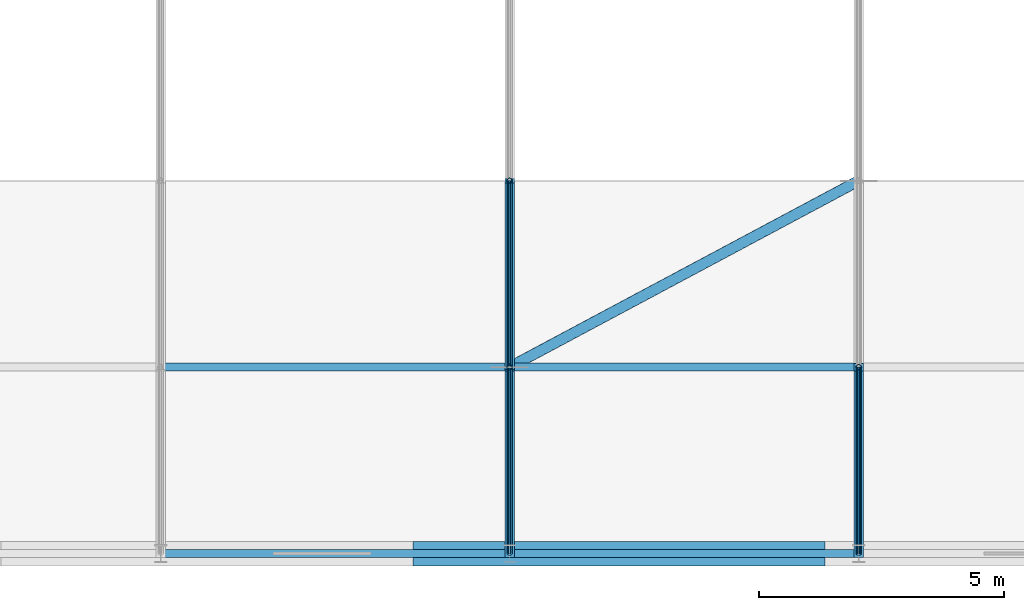
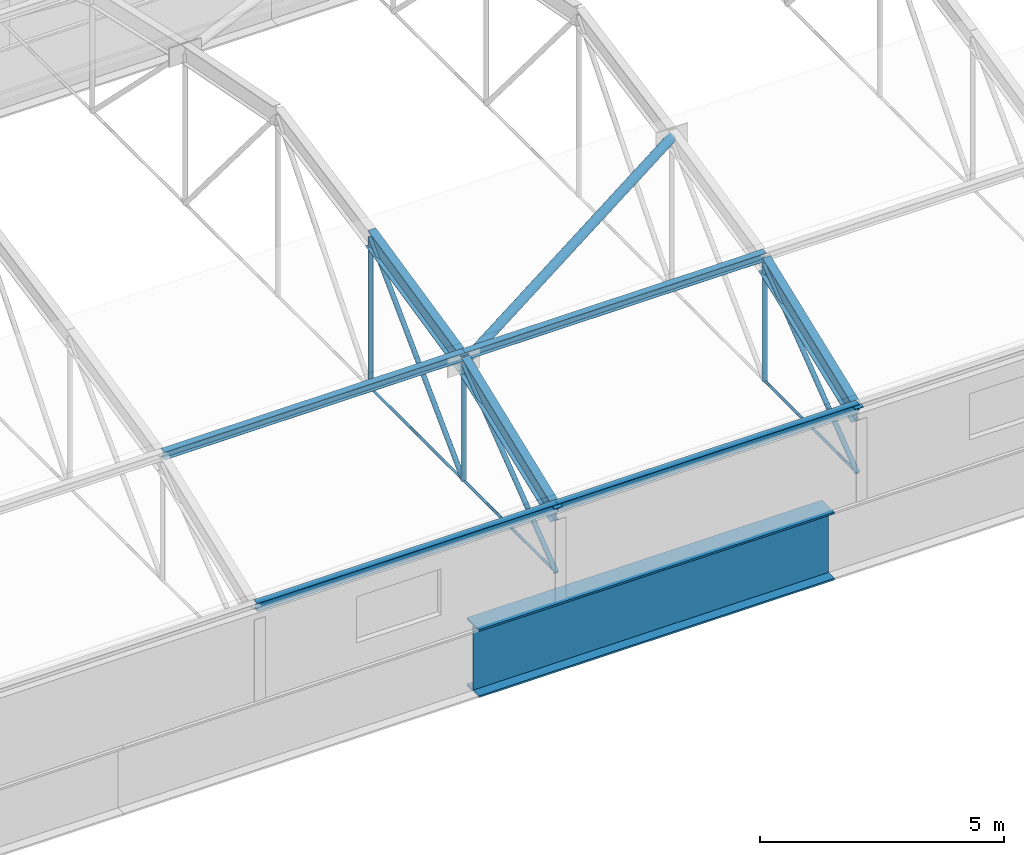
# One storey, part 14 of 53: 14 members, 4 beams.
"""IFC4 building model written with IfcOpenShell, lengths in metres."""

from ifc_helpers import new_model, si_unit, direction, frame, origin_with_axes, origin_2d_with_axis, place, context, subcontext, project, spatial, circle, hollow_circle, i_section, extrude, material, material_profile, profile_set, type_object, element, save


model = new_model("IFC4")

# Units and contexts
model_context = context("Model", 3, precision=1e-05, world=origin_with_axes(), true_north=direction((0.0, 1.0)))
body_context = subcontext(model_context, "Body", "Model", "MODEL_VIEW")
ifc_project = project(units=[si_unit("LENGTHUNIT", "METRE"), si_unit("AREAUNIT", "SQUARE_METRE"), si_unit("VOLUMEUNIT", "CUBIC_METRE"), si_unit("PLANEANGLEUNIT", "RADIAN"), si_unit("MASSUNIT", "GRAM", prefix="KILO"), si_unit("THERMODYNAMICTEMPERATUREUNIT", "KELVIN")], contexts=[model_context])

# Site, building, storey
site_placement = place(None, origin_with_axes())
site = spatial("IfcSite", under=ifc_project, at=site_placement, CompositionType="ELEMENT")
building_placement = place(site_placement, origin_with_axes())
building = spatial("IfcBuilding", under=site, at=building_placement, Name="Montbau Bow Law Courts", CompositionType="ELEMENT")
storey_placement = place(building_placement, frame((0.0, 0.0, 39.0), z_axis=(0.0, 0.0, 1.0), x_axis=(1.0, 0.0, 0.0)))
storey = spatial("IfcBuildingStorey", under=building, at=storey_placement, Name="L08", CompositionType="ELEMENT", Elevation=39.0)

# Beams
ifc_material = material(Name="Steel CSA G40.21 Grade 350WT (350 MPa)", Category="steel")
ifc_material_profile_1 = material_profile(ifc_material, i_section(OverallWidth=0.191, OverallDepth=0.46, WebThickness=0.0099, FlangeThickness=0.016, at=origin_2d_with_axis()), Name="W460X82", Category="Main", Priority=0)
ifc_profile_set_1 = profile_set([ifc_material_profile_1], Name="Steel CSA G40.21 Grade 350WT (350 MPa)")
beam_type_1 = type_object("IfcBeamType", Name="B-ARC-02", PredefinedType="USERDEFINED", material=ifc_profile_set_1)
beam_1_placement = place(None, frame((90.771, 39.0, 40.7), z_axis=(0.0, 0.931986259, 0.362493603), x_axis=(-1.0, 0.0, 0.0)))
element("IfcBeam", 1, at=beam_1_placement, inside=storey, type_object=beam_type_1, Name="Barrel vault roof truss arch rib V3-127", ObjectType="ARCH_RIB", PredefinedType="USERDEFINED", context=body_context, shape_type="SweptSolid", body=[
    extrude(i_section(OverallWidth=0.191, OverallDepth=0.46, WebThickness=0.0099, FlangeThickness=0.016, at=origin_2d_with_axis()), origin_with_axes(), (0.0, 0.0, 1.0), 4.077313),
])
beam_2_placement = place(None, frame((90.771, 42.8, 42.178), z_axis=(0.0, 0.97610237, 0.217311212), x_axis=(-1.0, 0.0, 0.0)))
element("IfcBeam", 2, at=beam_2_placement, inside=storey, type_object=beam_type_1, Name="Barrel vault roof truss arch rib V3-128", ObjectType="ARCH_RIB", PredefinedType="USERDEFINED", context=body_context, shape_type="SweptSolid", body=[
    extrude(i_section(OverallWidth=0.191, OverallDepth=0.46, WebThickness=0.0099, FlangeThickness=0.016, at=origin_2d_with_axis()), origin_with_axes(), (0.0, 0.0, 1.0), 3.893034),
])
beam_3_placement = place(None, frame((97.886, 39.0, 40.7), z_axis=(0.0, 0.931986259, 0.362493603), x_axis=(-1.0, 0.0, 0.0)))
element("IfcBeam", 3, at=beam_3_placement, inside=storey, type_object=beam_type_1, Name="Barrel vault roof truss arch rib V3-133", ObjectType="ARCH_RIB", PredefinedType="USERDEFINED", context=body_context, shape_type="SweptSolid", body=[
    extrude(i_section(OverallWidth=0.191, OverallDepth=0.46, WebThickness=0.0099, FlangeThickness=0.016, at=origin_2d_with_axis()), origin_with_axes(), (0.0, 0.0, 1.0), 4.077313),
])
ifc_material_profile_2 = material_profile(ifc_material, i_section(OverallWidth=0.5, OverallDepth=1.7, WebThickness=0.02, FlangeThickness=0.045, at=origin_2d_with_axis()), Name="WWF1700X480", Category="Main", Priority=0)
ifc_profile_set_2 = profile_set([ifc_material_profile_2], Name="Steel CSA G40.21 Grade 350WT (350 MPa)")
beam_type_2 = type_object("IfcBeamType", Name="B-TRG-02", PredefinedType="USERDEFINED", material=ifc_profile_set_2)
beam_4_placement = place(None, frame((88.8, 39.0, 37.81), z_axis=(1.0, 0.0, 0.0), x_axis=(0.0, 1.0, 0.0)))
element("IfcBeam", 4, at=beam_4_placement, inside=storey, type_object=beam_type_2, Name="VRG-L08-S0023:bm2_0026", ObjectType="GIRDER", PredefinedType="USERDEFINED", context=body_context, shape_type="SweptSolid", body=[
    extrude(i_section(OverallWidth=0.5, OverallDepth=1.7, WebThickness=0.02, FlangeThickness=0.045, at=origin_2d_with_axis()), origin_with_axes(), (0.0, 0.0, 1.0), 8.4),
])

# Members
ifc_material_profile_3 = material_profile(ifc_material, hollow_circle(Radius=0.1095, WallThickness=0.0111, at=origin_2d_with_axis()), Name="HSS219X11", Category="Main", Priority=0)
ifc_profile_set_3 = profile_set([ifc_material_profile_3], Name="Steel CSA G40.21 Grade 350WT (350 MPa)")
member_type_1 = type_object("IfcMemberType", Name="M-BRC-04", PredefinedType="BRACE", material=ifc_profile_set_3)
member_1_placement = place(None, frame((90.771, 42.8, 42.178), z_axis=(0.877266339, 0.468532971, 0.104310235), x_axis=(-0.471102928, 0.882078246, 0.0)))
element("IfcMember", 5, at=member_1_placement, inside=storey, type_object=member_type_1, Name="Diagonal brace VBR-V3-091", PredefinedType="BRACE", context=body_context, shape_type="SweptSolid", body=[
    extrude(hollow_circle(Radius=0.1095, WallThickness=0.0111, at=origin_2d_with_axis()), origin_with_axes(), (0.0, 0.0, 1.0), 8.110422),
])
ifc_material_profile_4 = material_profile(ifc_material, i_section(OverallWidth=0.165, OverallDepth=0.201, WebThickness=0.0062, FlangeThickness=0.0102, at=origin_2d_with_axis()), Name="W200X36", Category="Main", Priority=0)
ifc_profile_set_4 = profile_set([ifc_material_profile_4], Name="Steel CSA G40.21 Grade 350WT (350 MPa)")
member_type_2 = type_object("IfcMemberType", Name="M-PUR-02", PredefinedType="PURLIN", material=ifc_profile_set_4)
for number, where, z_axis, x_axis, name in (
    (6, (83.657, 39.0, 40.91), (1.0, 0.0, 0.0), (0.0, 1.0, 0.0), "Barrel vault roof truss purlin V3-127"),
    (7, (83.657, 42.8, 42.388), (1.0, 0.0, 0.0), (0.0, 1.0, 0.0), "Barrel vault roof truss purlin V3-128"),
):
    element("IfcMember", number, at=place(None, frame(where, z_axis=z_axis, x_axis=x_axis)), inside=storey, type_object=member_type_2, Name=name, PredefinedType="PURLIN", context=body_context, shape_type="SweptSolid", body=[
        extrude(i_section(OverallWidth=0.165, OverallDepth=0.201, WebThickness=0.0062, FlangeThickness=0.0102, at=origin_2d_with_axis()), origin_with_axes(), (0.0, 0.0, 1.0), 7.114),
    ])
for number, where, z_axis, x_axis, name in (
    (8, (90.771, 39.0, 40.91), (1.0, 0.0, 0.0), (0.0, 1.0, 0.0), "Barrel vault roof truss purlin V3-134"),
    (9, (90.771, 42.8, 42.388), (1.0, 0.0, 0.0), (0.0, 1.0, 0.0), "Barrel vault roof truss purlin V3-135"),
):
    element("IfcMember", number, at=place(None, frame(where, z_axis=z_axis, x_axis=x_axis)), inside=storey, type_object=member_type_2, Name=name, PredefinedType="PURLIN", context=body_context, shape_type="SweptSolid", body=[
        extrude(i_section(OverallWidth=0.165, OverallDepth=0.201, WebThickness=0.0062, FlangeThickness=0.0102, at=origin_2d_with_axis()), origin_with_axes(), (0.0, 0.0, 1.0), 7.115),
    ])
ifc_material_profile_5 = material_profile(ifc_material, hollow_circle(Radius=0.057, WallThickness=0.008, at=origin_2d_with_axis()), Name="HSS114X8.0", Category="Main", Priority=0)
ifc_profile_set_5 = profile_set([ifc_material_profile_5], Name="Steel CSA G40.21 Grade 350WT (350 MPa)")
member_type_3 = type_object("IfcMemberType", Name="M-STR-03", PredefinedType="STRUT", material=ifc_profile_set_5)
member_2_placement = place(None, frame((90.771, 39.0, 39.25), z_axis=(0.0, 0.792127775, 0.610355296), x_axis=(-1.0, 0.0, 0.0)))
element("IfcMember", 10, at=member_2_placement, inside=storey, type_object=member_type_3, Name="Barrel vault roof truss web diagonal V3-06-1", PredefinedType="STRUT", context=body_context, shape_type="SweptSolid", body=[
    extrude(hollow_circle(Radius=0.057, WallThickness=0.008, at=origin_2d_with_axis()), origin_with_axes(), (0.0, 0.0, 1.0), 4.797206),
])
member_3_placement = place(None, frame((90.771, 42.8, 39.25), z_axis=(0.0, 0.709529954, 0.704675276), x_axis=(-1.0, 0.0, 0.0)))
element("IfcMember", 11, at=member_3_placement, inside=storey, type_object=member_type_3, Name="Barrel vault roof truss web diagonal V3-06-2", PredefinedType="STRUT", context=body_context, shape_type="SweptSolid", body=[
    extrude(hollow_circle(Radius=0.057, WallThickness=0.008, at=origin_2d_with_axis()), origin_with_axes(), (0.0, 0.0, 1.0), 5.355658),
])
member_4_placement = place(None, frame((90.771, 42.8, 39.25), z_axis=(0.0, 0.0, 1.0), x_axis=(1.0, 0.0, 0.0)))
element("IfcMember", 12, at=member_4_placement, inside=storey, type_object=member_type_3, Name="Barrel vault roof truss web post V3-06-1", PredefinedType="STRUT", context=body_context, shape_type="SweptSolid", body=[
    extrude(hollow_circle(Radius=0.057, WallThickness=0.008, at=origin_2d_with_axis()), origin_with_axes(), (0.0, 0.0, 1.0), 2.928),
])
member_5_placement = place(None, frame((90.771, 46.6, 39.25), z_axis=(0.0, 0.0, 1.0), x_axis=(1.0, 0.0, 0.0)))
element("IfcMember", 13, at=member_5_placement, inside=storey, type_object=member_type_3, Name="Barrel vault roof truss web post V3-06-2", PredefinedType="STRUT", context=body_context, shape_type="SweptSolid", body=[
    extrude(hollow_circle(Radius=0.057, WallThickness=0.008, at=origin_2d_with_axis()), origin_with_axes(), (0.0, 0.0, 1.0), 3.774),
])
member_6_placement = place(None, frame((97.886, 39.0, 39.25), z_axis=(0.0, 0.792127775, 0.610355296), x_axis=(-1.0, 0.0, 0.0)))
element("IfcMember", 14, at=member_6_placement, inside=storey, type_object=member_type_3, Name="Barrel vault roof truss web diagonal V3-07-1", PredefinedType="STRUT", context=body_context, shape_type="SweptSolid", body=[
    extrude(hollow_circle(Radius=0.057, WallThickness=0.008, at=origin_2d_with_axis()), origin_with_axes(), (0.0, 0.0, 1.0), 4.797206),
])
member_7_placement = place(None, frame((97.886, 42.8, 39.25), z_axis=(0.0, 0.0, 1.0), x_axis=(1.0, 0.0, 0.0)))
element("IfcMember", 15, at=member_7_placement, inside=storey, type_object=member_type_3, Name="Barrel vault roof truss web post V3-07-1", PredefinedType="STRUT", context=body_context, shape_type="SweptSolid", body=[
    extrude(hollow_circle(Radius=0.057, WallThickness=0.008, at=origin_2d_with_axis()), origin_with_axes(), (0.0, 0.0, 1.0), 2.928),
])
ifc_material_profile_6 = material_profile(ifc_material, circle(Radius=0.032, at=origin_2d_with_axis()), Name="ROD64", Category="Main", Priority=0)
ifc_profile_set_6 = profile_set([ifc_material_profile_6], Name="Steel CSA G40.21 Grade 350WT (350 MPa)")
member_type_4 = type_object("IfcMemberType", Name="M-TIE-02", PredefinedType="USERDEFINED", material=ifc_profile_set_6)
for number, where, z_axis, x_axis, name in (
    (16, (90.771, 39.0, 39.25), (0.0, 1.0, 0.0), (-1.0, 0.0, 0.0), "Barrel vault roof truss tie V3-127"),
    (17, (90.771, 42.8, 39.25), (0.0, 1.0, 0.0), (-1.0, 0.0, 0.0), "Barrel vault roof truss tie V3-128"),
    (18, (97.886, 39.0, 39.25), (0.0, 1.0, 0.0), (-1.0, 0.0, 0.0), "Barrel vault roof truss tie V3-133"),
):
    element("IfcMember", number, at=place(None, frame(where, z_axis=z_axis, x_axis=x_axis)), inside=storey, type_object=member_type_4, Name=name, ObjectType="TIEBAR", PredefinedType="USERDEFINED", context=body_context, shape_type="SweptSolid", body=[
        extrude(circle(Radius=0.032, at=origin_2d_with_axis()), origin_with_axes(), (0.0, 0.0, 1.0), 3.8),
    ])

save(model, "model.ifc")
